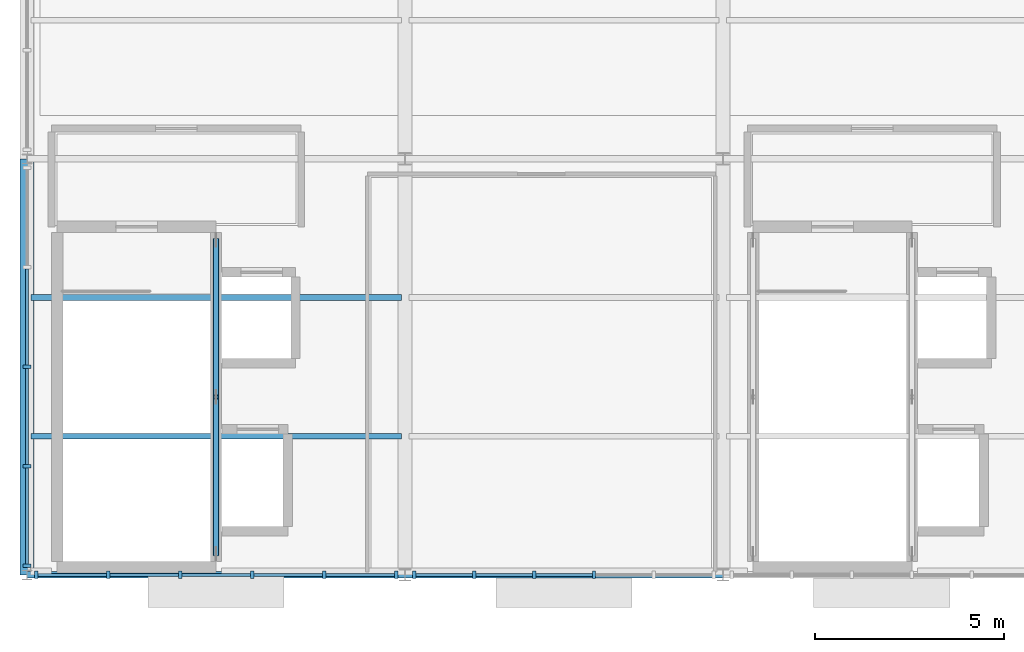
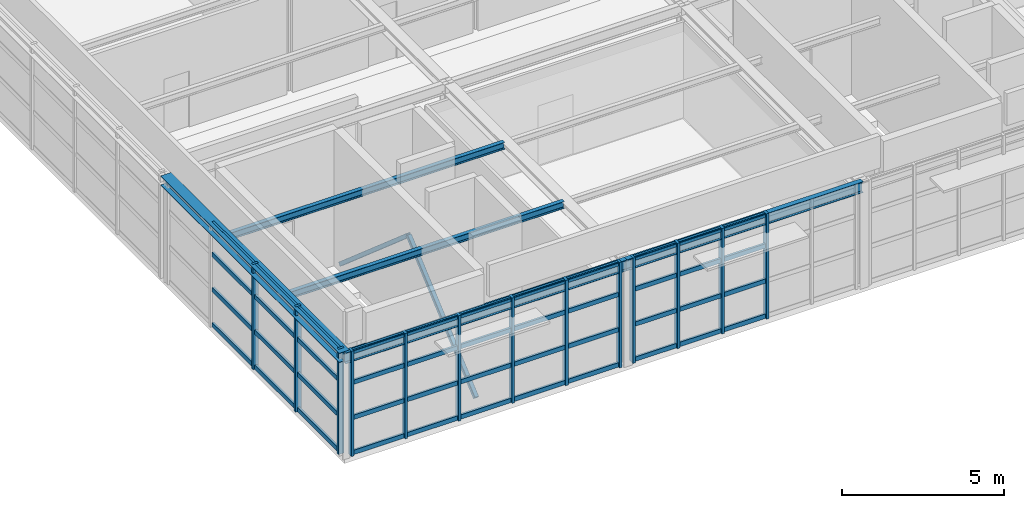
# One storey, part 4 of 18: 59 members, 5 beams, 3 elements without a shape of their own.
"""IFC4 building model written with IfcOpenShell, lengths in metres."""

from ifc_helpers import new_model, si_unit, direction, frame, origin, origin_2d, place, context, subcontext, project, spatial, rectangle, hollow_rectangle, i_section, extrude, material, layer, layer_set, material_profile, profile_set, type_object, element, aggregate, save


model = new_model("IFC4")

# Units and contexts
model_context = context("Model", 3, precision=1e-05, world=origin(), true_north=direction((0.0, 1.0)))
body_context = subcontext(model_context, "Body", "Model", "MODEL_VIEW")
ifc_project = project(units=[si_unit("LENGTHUNIT", "METRE"), si_unit("AREAUNIT", "SQUARE_METRE"), si_unit("VOLUMEUNIT", "CUBIC_METRE"), si_unit("PLANEANGLEUNIT", "RADIAN"), si_unit("MASSUNIT", "GRAM", prefix="KILO")], contexts=[model_context])

# Site, building, storey
site_placement = place(None, origin())
site = spatial("IfcSite", under=ifc_project, at=site_placement, CompositionType="ELEMENT")
building_placement = place(site_placement, origin())
building = spatial("IfcBuilding", under=site, at=building_placement, Name="Sitalva Quay Ferry Terminal", CompositionType="ELEMENT")
storey_placement = place(building_placement, frame((0.0, 0.0, 18.60009765625)))
storey = spatial("IfcBuildingStorey", under=building, at=storey_placement, Name="L05", CompositionType="ELEMENT", Elevation=18.60009765625)

# Beams
ifc_material_1 = material(Name="Structural Steel S355JR", Category="steel")
ifc_material_profile_1 = material_profile(ifc_material_1, i_section(OverallWidth=0.368896484375, OverallDepth=0.35595703125, WebThickness=0.01123046875, FlangeThickness=0.01806640625, FilletRadius=0.014892578125, at=origin_2d()), Name="W360x134")
ifc_profile_set_1 = profile_set([ifc_material_profile_1], Name="Structural Steel S355JR")
beam_type_1 = type_object("IfcBeamType", Name="Beam_W360x134", PredefinedType="BEAM", material=ifc_profile_set_1)
beam_1_placement = place(storey_placement, frame((74.0, 78.0, 3.781982421875), z_axis=(0.0, 1.0, 0.0), x_axis=(-1.0, 0.0, 0.0)))
element("IfcBeam", 1, at=beam_1_placement, inside=storey, type_object=beam_type_1, Name="L05 Primary Y girder 1420", PredefinedType="BEAM", context=body_context, shape_type="SweptSolid", body=[
    extrude(i_section(OverallWidth=0.368896484375, OverallDepth=0.35595703125, WebThickness=0.01123046875, FlangeThickness=0.01806640625, FilletRadius=0.014892578125, at=origin_2d()), origin(), (0.0, 0.0, 1.0), 11.0),
])
ifc_material_2 = material(Name="Structural Steel S355JR", Category="steel")
ifc_material_profile_2 = material_profile(ifc_material_2, i_section(OverallWidth=0.178955078125, OverallDepth=0.409912109375, WebThickness=0.0087890625, FlangeThickness=0.014404296875, FilletRadius=0.012939453125, at=origin_2d()), Name="W410x67")
ifc_profile_set_2 = profile_set([ifc_material_profile_2], Name="Structural Steel S355JR")
beam_type_2 = type_object("IfcBeamType", Name="Beam_W410x67", PredefinedType="BEAM", material=ifc_profile_set_2)
beam_2_placement = place(storey_placement, frame((74.0, 78.0, 3.7548828125), z_axis=(1.0, 0.0, 0.0), x_axis=(0.0, 1.0, 0.0)))
element("IfcBeam", 2, at=beam_2_placement, inside=storey, type_object=beam_type_2, Name="L05 Primary X girder 1400", PredefinedType="BEAM", context=body_context, shape_type="SweptSolid", body=[
    extrude(i_section(OverallWidth=0.178955078125, OverallDepth=0.409912109375, WebThickness=0.0087890625, FlangeThickness=0.014404296875, FilletRadius=0.012939453125, at=origin_2d()), origin(), (0.0, 0.0, 1.0), 10.0),
])
beam_3_placement = place(storey_placement, frame((84.0, 78.0, 3.7548828125), z_axis=(1.0, 0.0, 0.0), x_axis=(0.0, 1.0, 0.0)))
element("IfcBeam", 3, at=beam_3_placement, inside=storey, type_object=beam_type_2, Name="L05 Primary X girder 1401", PredefinedType="BEAM", context=body_context, shape_type="SweptSolid", body=[
    extrude(i_section(OverallWidth=0.178955078125, OverallDepth=0.409912109375, WebThickness=0.0087890625, FlangeThickness=0.014404296875, FilletRadius=0.012939453125, at=origin_2d()), origin(), (0.0, 0.0, 1.0), 8.39990234375),
])

# Members
ifc_material_3 = material(Name="Structural Steel S355JR", Category="steel")
ifc_material_profile_3 = material_profile(ifc_material_3, hollow_rectangle(XDim=0.14990234375, YDim=0.14990234375, WallThickness=0.008056640625, InnerFilletRadius=0.008056640625, OuterFilletRadius=0.01611328125, at=origin_2d()), Name="SHS150x150x8")
ifc_profile_set_3 = profile_set([ifc_material_profile_3], Name="Structural Steel S355JR")
member_type_1 = type_object("IfcMemberType", Name="Brace_SHS150x8", PredefinedType="BRACE", material=ifc_profile_set_3)
member_1_placement = place(storey_placement, frame((79.0, 78.550048828125, 0.14990234375), z_axis=(0.0, 0.756274516231, 0.654254427649), x_axis=(-1.0, 0.0, 0.0)))
element("IfcMember", 4, at=member_1_placement, inside=storey, type_object=member_type_1, Name="Braced frame BF2 L05 chevron A", PredefinedType="BRACE", context=body_context, shape_type="SweptSolid", body=[
    extrude(hollow_rectangle(XDim=0.14990234375, YDim=0.14990234375, WallThickness=0.008056640625, InnerFilletRadius=0.008056640625, OuterFilletRadius=0.01611328125, at=origin_2d()), origin(), (0.0, 0.0, 1.0), 5.4873046875),
])
member_2_placement = place(storey_placement, frame((79.0, 82.699951171875, 3.739990234375), z_axis=(0.0, 0.756293560007, -0.654232413666), x_axis=(-1.0, 0.0, 0.0)))
element("IfcMember", 5, at=member_2_placement, inside=storey, type_object=member_type_1, Name="Braced frame BF2 L05 chevron B", PredefinedType="BRACE", context=body_context, shape_type="SweptSolid", body=[
    extrude(hollow_rectangle(XDim=0.14990234375, YDim=0.14990234375, WallThickness=0.008056640625, InnerFilletRadius=0.008056640625, OuterFilletRadius=0.01611328125, at=origin_2d()), origin(), (0.0, 0.0, 1.0), 5.487548828125),
])

# Beams
ifc_material_4 = material(Name="Structural Steel S355JR", Category="steel")
ifc_material_profile_4 = material_profile(ifc_material_4, i_section(OverallWidth=0.14697265625, OverallDepth=0.261962890625, WebThickness=0.006591796875, FlangeThickness=0.01123046875, FilletRadius=0.010009765625, at=origin_2d()), Name="W250x39")
ifc_profile_set_4 = profile_set([ifc_material_profile_4], Name="Structural Steel S355JR")
beam_type_3 = type_object("IfcBeamType", Name="Joist_W250x39", PredefinedType="JOIST", material=ifc_profile_set_4)
for number, where, z_axis, x_axis, name in (
    (6, (74.10009765625, 81.666748046875, 3.828857421875), (1.0, 0.0, 0.0), (0.0, 1.0, 0.0), "L05 Secondary joist 1438"),
    (7, (74.10009765625, 85.333251953125, 3.828857421875), (1.0, 0.0, 0.0), (0.0, 1.0, 0.0), "L05 Secondary joist 1443"),
):
    element("IfcBeam", number, at=place(storey_placement, frame(where, z_axis=z_axis, x_axis=x_axis)), inside=storey, type_object=beam_type_3, Name=name, PredefinedType="JOIST", context=body_context, shape_type="SweptSolid", body=[
        extrude(i_section(OverallWidth=0.14697265625, OverallDepth=0.261962890625, WebThickness=0.006591796875, FlangeThickness=0.01123046875, FilletRadius=0.010009765625, at=origin_2d()), origin(), (0.0, 0.0, 1.0), 9.7998046875),
    ])

# Curtain wall, members
ifc_material_5 = material(Name="Anodised Aluminium & Low-E Glazing", Category="aluminium")
ifc_layer = layer(ifc_material_5, 0.159912109375)
ifc_layer_set = layer_set([ifc_layer], Name="Anodised Aluminium & Low-E Glazing")
curtain_wall_type = type_object("IfcCurtainWallType", Name="CW_VTS_Sloped", PredefinedType="USERDEFINED", material=ifc_layer_set)
curtain_wall_1_placement = place(storey_placement, origin())
curtain_wall_1 = element("IfcCurtainWall", 8, at=curtain_wall_1_placement, inside=storey, type_object=curtain_wall_type, Name="L05 VTS west panoramic glazing (CW-L05-149)", ObjectType="CURTAIN_WALL", PredefinedType="USERDEFINED")
ifc_material_6 = material(Name="Anodised Aluminium 6063-T6", Category="aluminium")
ifc_material_profile_5 = material_profile(ifc_material_6, rectangle(XDim=0.090087890625, YDim=0.199951171875, at=origin_2d()), Name="ALU90x200")
ifc_profile_set_5 = profile_set([ifc_material_profile_5], Name="Anodised Aluminium 6063-T6")
member_type_2 = type_object("IfcMemberType", Name="Mullion_Alu_90x200", PredefinedType="MULLION", material=ifc_profile_set_5)
member_3_placement = place(storey_placement, frame((74.0, 78.239990234375, 0.0), z_axis=(0.0, 0.0, 1.0), x_axis=(0.0, 1.0, 0.0)))
member_3 = element("IfcMember", 9, at=member_3_placement, type_object=member_type_2, Name="CW-L05-149-M0", PredefinedType="MULLION", context=body_context, shape_type="SweptSolid", body=[
    extrude(rectangle(XDim=0.090087890625, YDim=0.199951171875, at=origin_2d()), origin(), (0.0, 0.0, 1.0), 3.9599609375),
])
member_4_placement = place(storey_placement, frame((74.0, 80.8701171875, 0.0), z_axis=(0.0, 0.0, 1.0), x_axis=(0.0, 1.0, 0.0)))
member_4 = element("IfcMember", 10, at=member_4_placement, type_object=member_type_2, Name="CW-L05-149-M1", PredefinedType="MULLION", context=body_context, shape_type="SweptSolid", body=[
    extrude(rectangle(XDim=0.090087890625, YDim=0.199951171875, at=origin_2d()), origin(), (0.0, 0.0, 1.0), 3.9599609375),
])
member_5_placement = place(storey_placement, frame((74.0, 83.5, 0.0), z_axis=(0.0, 0.0, 1.0), x_axis=(0.0, 1.0, 0.0)))
member_5 = element("IfcMember", 11, at=member_5_placement, type_object=member_type_2, Name="CW-L05-149-M2", PredefinedType="MULLION", context=body_context, shape_type="SweptSolid", body=[
    extrude(rectangle(XDim=0.090087890625, YDim=0.199951171875, at=origin_2d()), origin(), (0.0, 0.0, 1.0), 3.9599609375),
])

curtain_wall_2_placement = place(storey_placement, origin())
curtain_wall_2 = element("IfcCurtainWall", 12, at=curtain_wall_2_placement, inside=storey, type_object=curtain_wall_type, Name="L05 VTS river-view panoramic south glazing (CW-L05-154)", ObjectType="CURTAIN_WALL", PredefinedType="USERDEFINED")
member_6_placement = place(storey_placement, frame((74.239990234375, 78.0, 0.0), z_axis=(0.0, 0.0, 1.0), x_axis=(1.0, 0.0, 0.0)))
member_6 = element("IfcMember", 13, at=member_6_placement, type_object=member_type_2, Name="CW-L05-154-M0", PredefinedType="MULLION", context=body_context, shape_type="SweptSolid", body=[
    extrude(rectangle(XDim=0.090087890625, YDim=0.199951171875, at=origin_2d()), origin(), (0.0, 0.0, 1.0), 3.9599609375),
])
member_7_placement = place(storey_placement, frame((76.14404296875, 78.0, 0.0), z_axis=(0.0, 0.0, 1.0), x_axis=(1.0, 0.0, 0.0)))
member_7 = element("IfcMember", 14, at=member_7_placement, type_object=member_type_2, Name="CW-L05-154-M1", PredefinedType="MULLION", context=body_context, shape_type="SweptSolid", body=[
    extrude(rectangle(XDim=0.090087890625, YDim=0.199951171875, at=origin_2d()), origin(), (0.0, 0.0, 1.0), 3.9599609375),
])
member_8_placement = place(storey_placement, frame((78.048095703125, 78.0, 0.0), z_axis=(0.0, 0.0, 1.0), x_axis=(1.0, 0.0, 0.0)))
member_8 = element("IfcMember", 15, at=member_8_placement, type_object=member_type_2, Name="CW-L05-154-M2", PredefinedType="MULLION", context=body_context, shape_type="SweptSolid", body=[
    extrude(rectangle(XDim=0.090087890625, YDim=0.199951171875, at=origin_2d()), origin(), (0.0, 0.0, 1.0), 3.9599609375),
])
member_9_placement = place(storey_placement, frame((79.951904296875, 78.0, 0.0), z_axis=(0.0, 0.0, 1.0), x_axis=(1.0, 0.0, 0.0)))
member_9 = element("IfcMember", 16, at=member_9_placement, type_object=member_type_2, Name="CW-L05-154-M3", PredefinedType="MULLION", context=body_context, shape_type="SweptSolid", body=[
    extrude(rectangle(XDim=0.090087890625, YDim=0.199951171875, at=origin_2d()), origin(), (0.0, 0.0, 1.0), 3.9599609375),
])
member_10_placement = place(storey_placement, frame((81.85595703125, 78.0, 0.0), z_axis=(0.0, 0.0, 1.0), x_axis=(1.0, 0.0, 0.0)))
member_10 = element("IfcMember", 17, at=member_10_placement, type_object=member_type_2, Name="CW-L05-154-M4", PredefinedType="MULLION", context=body_context, shape_type="SweptSolid", body=[
    extrude(rectangle(XDim=0.090087890625, YDim=0.199951171875, at=origin_2d()), origin(), (0.0, 0.0, 1.0), 3.9599609375),
])
member_11_placement = place(storey_placement, frame((83.760009765625, 78.0, 0.0), z_axis=(0.0, 0.0, 1.0), x_axis=(1.0, 0.0, 0.0)))
member_11 = element("IfcMember", 18, at=member_11_placement, type_object=member_type_2, Name="CW-L05-154-M5", PredefinedType="MULLION", context=body_context, shape_type="SweptSolid", body=[
    extrude(rectangle(XDim=0.090087890625, YDim=0.199951171875, at=origin_2d()), origin(), (0.0, 0.0, 1.0), 3.9599609375),
])

curtain_wall_3_placement = place(storey_placement, origin())
curtain_wall_3 = element("IfcCurtainWall", 19, at=curtain_wall_3_placement, inside=storey, type_object=curtain_wall_type, Name="L05 VTS river-view panoramic south glazing (CW-L05-156)", ObjectType="CURTAIN_WALL", PredefinedType="USERDEFINED")
member_12_placement = place(storey_placement, frame((84.239990234375, 78.0, 0.0), z_axis=(0.0, 0.0, 1.0), x_axis=(1.0, 0.0, 0.0)))
member_12 = element("IfcMember", 20, at=member_12_placement, type_object=member_type_2, Name="CW-L05-156-M0", PredefinedType="MULLION", context=body_context, shape_type="SweptSolid", body=[
    extrude(rectangle(XDim=0.090087890625, YDim=0.199951171875, at=origin_2d()), origin(), (0.0, 0.0, 1.0), 3.9599609375),
])
member_13_placement = place(storey_placement, frame((85.823974609375, 78.0, 0.0), z_axis=(0.0, 0.0, 1.0), x_axis=(1.0, 0.0, 0.0)))
member_13 = element("IfcMember", 21, at=member_13_placement, type_object=member_type_2, Name="CW-L05-156-M1", PredefinedType="MULLION", context=body_context, shape_type="SweptSolid", body=[
    extrude(rectangle(XDim=0.090087890625, YDim=0.199951171875, at=origin_2d()), origin(), (0.0, 0.0, 1.0), 3.9599609375),
])
member_14_placement = place(storey_placement, frame((87.407958984375, 78.0, 0.0), z_axis=(0.0, 0.0, 1.0), x_axis=(1.0, 0.0, 0.0)))
member_14 = element("IfcMember", 22, at=member_14_placement, type_object=member_type_2, Name="CW-L05-156-M2", PredefinedType="MULLION", context=body_context, shape_type="SweptSolid", body=[
    extrude(rectangle(XDim=0.090087890625, YDim=0.199951171875, at=origin_2d()), origin(), (0.0, 0.0, 1.0), 3.9599609375),
])
member_15_placement = place(storey_placement, frame((88.991943359375, 78.0, 0.0), z_axis=(0.0, 0.0, 1.0), x_axis=(1.0, 0.0, 0.0)))
member_15 = element("IfcMember", 23, at=member_15_placement, type_object=member_type_2, Name="CW-L05-156-M3", PredefinedType="MULLION", context=body_context, shape_type="SweptSolid", body=[
    extrude(rectangle(XDim=0.090087890625, YDim=0.199951171875, at=origin_2d()), origin(), (0.0, 0.0, 1.0), 3.9599609375),
])

# Member
ifc_material_7 = material(Name="Anodised Aluminium 6063-T6", Category="aluminium")
ifc_material_profile_6 = material_profile(ifc_material_7, rectangle(XDim=0.080078125, YDim=0.1650390625, at=origin_2d()), Name="ALU80x165")
ifc_profile_set_6 = profile_set([ifc_material_profile_6], Name="Anodised Aluminium 6063-T6")
member_type_3 = type_object("IfcMemberType", Name="Transom_Alu_80x165", PredefinedType="MULLION", material=ifc_profile_set_6)
member_16_placement = place(storey_placement, frame((74.0, 78.284912109375, 0.08251953125), z_axis=(0.0, 1.0, 0.0), x_axis=(-1.0, 0.0, 0.0)))
member_16 = element("IfcMember", 24, at=member_16_placement, type_object=member_type_3, Name="CW-L05-149-T0-0", ObjectType="TRANSOM", PredefinedType="USERDEFINED", context=body_context, shape_type="SweptSolid", body=[
    extrude(rectangle(XDim=0.080078125, YDim=0.1650390625, at=origin_2d()), origin(), (0.0, 0.0, 1.0), 2.5400390625),
])

member_17_placement = place(storey_placement, frame((74.0, 78.284912109375, 1.40234375), z_axis=(0.0, 1.0, 0.0), x_axis=(-1.0, 0.0, 0.0)))
member_17 = element("IfcMember", 25, at=member_17_placement, type_object=member_type_3, Name="CW-L05-149-T0-1", ObjectType="TRANSOM", PredefinedType="USERDEFINED", context=body_context, shape_type="SweptSolid", body=[
    extrude(rectangle(XDim=0.080078125, YDim=0.1650390625, at=origin_2d()), origin(), (0.0, 0.0, 1.0), 2.5400390625),
])

member_18_placement = place(storey_placement, frame((74.0, 78.284912109375, 2.722412109375), z_axis=(0.0, 1.0, 0.0), x_axis=(-1.0, 0.0, 0.0)))
member_18 = element("IfcMember", 26, at=member_18_placement, type_object=member_type_3, Name="CW-L05-149-T0-2", ObjectType="TRANSOM", PredefinedType="USERDEFINED", context=body_context, shape_type="SweptSolid", body=[
    extrude(rectangle(XDim=0.080078125, YDim=0.1650390625, at=origin_2d()), origin(), (0.0, 0.0, 1.0), 2.5400390625),
])

member_19_placement = place(storey_placement, frame((74.0, 78.284912109375, 3.87744140625), z_axis=(0.0, 1.0, 0.0), x_axis=(-1.0, 0.0, 0.0)))
member_19 = element("IfcMember", 27, at=member_19_placement, type_object=member_type_3, Name="CW-L05-149-T0-3", ObjectType="TRANSOM", PredefinedType="USERDEFINED", context=body_context, shape_type="SweptSolid", body=[
    extrude(rectangle(XDim=0.080078125, YDim=0.1650390625, at=origin_2d()), origin(), (0.0, 0.0, 1.0), 2.5400390625),
])

member_20_placement = place(storey_placement, frame((74.0, 80.9150390625, 0.08251953125), z_axis=(0.0, 1.0, 0.0), x_axis=(-1.0, 0.0, 0.0)))
member_20 = element("IfcMember", 28, at=member_20_placement, type_object=member_type_3, Name="CW-L05-149-T1-0", ObjectType="TRANSOM", PredefinedType="USERDEFINED", context=body_context, shape_type="SweptSolid", body=[
    extrude(rectangle(XDim=0.080078125, YDim=0.1650390625, at=origin_2d()), origin(), (0.0, 0.0, 1.0), 2.5400390625),
])

member_21_placement = place(storey_placement, frame((74.0, 80.9150390625, 1.40234375), z_axis=(0.0, 1.0, 0.0), x_axis=(-1.0, 0.0, 0.0)))
member_21 = element("IfcMember", 29, at=member_21_placement, type_object=member_type_3, Name="CW-L05-149-T1-1", ObjectType="TRANSOM", PredefinedType="USERDEFINED", context=body_context, shape_type="SweptSolid", body=[
    extrude(rectangle(XDim=0.080078125, YDim=0.1650390625, at=origin_2d()), origin(), (0.0, 0.0, 1.0), 2.5400390625),
])

member_22_placement = place(storey_placement, frame((74.0, 80.9150390625, 2.722412109375), z_axis=(0.0, 1.0, 0.0), x_axis=(-1.0, 0.0, 0.0)))
member_22 = element("IfcMember", 30, at=member_22_placement, type_object=member_type_3, Name="CW-L05-149-T1-2", ObjectType="TRANSOM", PredefinedType="USERDEFINED", context=body_context, shape_type="SweptSolid", body=[
    extrude(rectangle(XDim=0.080078125, YDim=0.1650390625, at=origin_2d()), origin(), (0.0, 0.0, 1.0), 2.5400390625),
])

member_23_placement = place(storey_placement, frame((74.0, 80.9150390625, 3.87744140625), z_axis=(0.0, 1.0, 0.0), x_axis=(-1.0, 0.0, 0.0)))
member_23 = element("IfcMember", 31, at=member_23_placement, type_object=member_type_3, Name="CW-L05-149-T1-3", ObjectType="TRANSOM", PredefinedType="USERDEFINED", context=body_context, shape_type="SweptSolid", body=[
    extrude(rectangle(XDim=0.080078125, YDim=0.1650390625, at=origin_2d()), origin(), (0.0, 0.0, 1.0), 2.5400390625),
])

member_24_placement = place(storey_placement, frame((74.0, 83.544921875, 0.08251953125), z_axis=(0.0, 1.0, 0.0), x_axis=(-1.0, 0.0, 0.0)))
member_24 = element("IfcMember", 32, at=member_24_placement, type_object=member_type_3, Name="CW-L05-149-T2-0", ObjectType="TRANSOM", PredefinedType="USERDEFINED", context=body_context, shape_type="SweptSolid", body=[
    extrude(rectangle(XDim=0.080078125, YDim=0.1650390625, at=origin_2d()), origin(), (0.0, 0.0, 1.0), 2.5400390625),
])

member_25_placement = place(storey_placement, frame((74.0, 83.544921875, 1.40234375), z_axis=(0.0, 1.0, 0.0), x_axis=(-1.0, 0.0, 0.0)))
member_25 = element("IfcMember", 33, at=member_25_placement, type_object=member_type_3, Name="CW-L05-149-T2-1", ObjectType="TRANSOM", PredefinedType="USERDEFINED", context=body_context, shape_type="SweptSolid", body=[
    extrude(rectangle(XDim=0.080078125, YDim=0.1650390625, at=origin_2d()), origin(), (0.0, 0.0, 1.0), 2.5400390625),
])

member_26_placement = place(storey_placement, frame((74.0, 83.544921875, 2.722412109375), z_axis=(0.0, 1.0, 0.0), x_axis=(-1.0, 0.0, 0.0)))
member_26 = element("IfcMember", 34, at=member_26_placement, type_object=member_type_3, Name="CW-L05-149-T2-2", ObjectType="TRANSOM", PredefinedType="USERDEFINED", context=body_context, shape_type="SweptSolid", body=[
    extrude(rectangle(XDim=0.080078125, YDim=0.1650390625, at=origin_2d()), origin(), (0.0, 0.0, 1.0), 2.5400390625),
])

member_27_placement = place(storey_placement, frame((74.0, 83.544921875, 3.87744140625), z_axis=(0.0, 1.0, 0.0), x_axis=(-1.0, 0.0, 0.0)))
member_27 = element("IfcMember", 35, at=member_27_placement, type_object=member_type_3, Name="CW-L05-149-T2-3", ObjectType="TRANSOM", PredefinedType="USERDEFINED", context=body_context, shape_type="SweptSolid", body=[
    extrude(rectangle(XDim=0.080078125, YDim=0.1650390625, at=origin_2d()), origin(), (0.0, 0.0, 1.0), 2.5400390625),
])

aggregate(curtain_wall_1, [member_3, member_4, member_5, member_16, member_17, member_18, member_19, member_20, member_21, member_22, member_23, member_24, member_25, member_26, member_27])

member_28_placement = place(storey_placement, frame((74.284912109375, 78.0, 0.08251953125), z_axis=(1.0, 0.0, 0.0), x_axis=(0.0, 1.0, 0.0)))
member_28 = element("IfcMember", 36, at=member_28_placement, type_object=member_type_3, Name="CW-L05-154-T0-0", ObjectType="TRANSOM", PredefinedType="USERDEFINED", context=body_context, shape_type="SweptSolid", body=[
    extrude(rectangle(XDim=0.080078125, YDim=0.1650390625, at=origin_2d()), origin(), (0.0, 0.0, 1.0), 1.814208984375),
])

member_29_placement = place(storey_placement, frame((74.284912109375, 78.0, 1.40234375), z_axis=(1.0, 0.0, 0.0), x_axis=(0.0, 1.0, 0.0)))
member_29 = element("IfcMember", 37, at=member_29_placement, type_object=member_type_3, Name="CW-L05-154-T0-1", ObjectType="TRANSOM", PredefinedType="USERDEFINED", context=body_context, shape_type="SweptSolid", body=[
    extrude(rectangle(XDim=0.080078125, YDim=0.1650390625, at=origin_2d()), origin(), (0.0, 0.0, 1.0), 1.814208984375),
])

member_30_placement = place(storey_placement, frame((74.284912109375, 78.0, 2.722412109375), z_axis=(1.0, 0.0, 0.0), x_axis=(0.0, 1.0, 0.0)))
member_30 = element("IfcMember", 38, at=member_30_placement, type_object=member_type_3, Name="CW-L05-154-T0-2", ObjectType="TRANSOM", PredefinedType="USERDEFINED", context=body_context, shape_type="SweptSolid", body=[
    extrude(rectangle(XDim=0.080078125, YDim=0.1650390625, at=origin_2d()), origin(), (0.0, 0.0, 1.0), 1.814208984375),
])

member_31_placement = place(storey_placement, frame((74.284912109375, 78.0, 3.87744140625), z_axis=(1.0, 0.0, 0.0), x_axis=(0.0, 1.0, 0.0)))
member_31 = element("IfcMember", 39, at=member_31_placement, type_object=member_type_3, Name="CW-L05-154-T0-3", ObjectType="TRANSOM", PredefinedType="USERDEFINED", context=body_context, shape_type="SweptSolid", body=[
    extrude(rectangle(XDim=0.080078125, YDim=0.1650390625, at=origin_2d()), origin(), (0.0, 0.0, 1.0), 1.814208984375),
])

member_32_placement = place(storey_placement, frame((76.18896484375, 78.0, 0.08251953125), z_axis=(1.0, 0.0, 0.0), x_axis=(0.0, 1.0, 0.0)))
member_32 = element("IfcMember", 40, at=member_32_placement, type_object=member_type_3, Name="CW-L05-154-T1-0", ObjectType="TRANSOM", PredefinedType="USERDEFINED", context=body_context, shape_type="SweptSolid", body=[
    extrude(rectangle(XDim=0.080078125, YDim=0.1650390625, at=origin_2d()), origin(), (0.0, 0.0, 1.0), 1.81396484375),
])

member_33_placement = place(storey_placement, frame((76.18896484375, 78.0, 1.40234375), z_axis=(1.0, 0.0, 0.0), x_axis=(0.0, 1.0, 0.0)))
member_33 = element("IfcMember", 41, at=member_33_placement, type_object=member_type_3, Name="CW-L05-154-T1-1", ObjectType="TRANSOM", PredefinedType="USERDEFINED", context=body_context, shape_type="SweptSolid", body=[
    extrude(rectangle(XDim=0.080078125, YDim=0.1650390625, at=origin_2d()), origin(), (0.0, 0.0, 1.0), 1.81396484375),
])

member_34_placement = place(storey_placement, frame((76.18896484375, 78.0, 2.722412109375), z_axis=(1.0, 0.0, 0.0), x_axis=(0.0, 1.0, 0.0)))
member_34 = element("IfcMember", 42, at=member_34_placement, type_object=member_type_3, Name="CW-L05-154-T1-2", ObjectType="TRANSOM", PredefinedType="USERDEFINED", context=body_context, shape_type="SweptSolid", body=[
    extrude(rectangle(XDim=0.080078125, YDim=0.1650390625, at=origin_2d()), origin(), (0.0, 0.0, 1.0), 1.81396484375),
])

member_35_placement = place(storey_placement, frame((76.18896484375, 78.0, 3.87744140625), z_axis=(1.0, 0.0, 0.0), x_axis=(0.0, 1.0, 0.0)))
member_35 = element("IfcMember", 43, at=member_35_placement, type_object=member_type_3, Name="CW-L05-154-T1-3", ObjectType="TRANSOM", PredefinedType="USERDEFINED", context=body_context, shape_type="SweptSolid", body=[
    extrude(rectangle(XDim=0.080078125, YDim=0.1650390625, at=origin_2d()), origin(), (0.0, 0.0, 1.0), 1.81396484375),
])

member_36_placement = place(storey_placement, frame((78.093017578125, 78.0, 0.08251953125), z_axis=(1.0, 0.0, 0.0), x_axis=(0.0, 1.0, 0.0)))
member_36 = element("IfcMember", 44, at=member_36_placement, type_object=member_type_3, Name="CW-L05-154-T2-0", ObjectType="TRANSOM", PredefinedType="USERDEFINED", context=body_context, shape_type="SweptSolid", body=[
    extrude(rectangle(XDim=0.080078125, YDim=0.1650390625, at=origin_2d()), origin(), (0.0, 0.0, 1.0), 1.81396484375),
])

member_37_placement = place(storey_placement, frame((78.093017578125, 78.0, 1.40234375), z_axis=(1.0, 0.0, 0.0), x_axis=(0.0, 1.0, 0.0)))
member_37 = element("IfcMember", 45, at=member_37_placement, type_object=member_type_3, Name="CW-L05-154-T2-1", ObjectType="TRANSOM", PredefinedType="USERDEFINED", context=body_context, shape_type="SweptSolid", body=[
    extrude(rectangle(XDim=0.080078125, YDim=0.1650390625, at=origin_2d()), origin(), (0.0, 0.0, 1.0), 1.81396484375),
])

member_38_placement = place(storey_placement, frame((78.093017578125, 78.0, 2.722412109375), z_axis=(1.0, 0.0, 0.0), x_axis=(0.0, 1.0, 0.0)))
member_38 = element("IfcMember", 46, at=member_38_placement, type_object=member_type_3, Name="CW-L05-154-T2-2", ObjectType="TRANSOM", PredefinedType="USERDEFINED", context=body_context, shape_type="SweptSolid", body=[
    extrude(rectangle(XDim=0.080078125, YDim=0.1650390625, at=origin_2d()), origin(), (0.0, 0.0, 1.0), 1.81396484375),
])

member_39_placement = place(storey_placement, frame((78.093017578125, 78.0, 3.87744140625), z_axis=(1.0, 0.0, 0.0), x_axis=(0.0, 1.0, 0.0)))
member_39 = element("IfcMember", 47, at=member_39_placement, type_object=member_type_3, Name="CW-L05-154-T2-3", ObjectType="TRANSOM", PredefinedType="USERDEFINED", context=body_context, shape_type="SweptSolid", body=[
    extrude(rectangle(XDim=0.080078125, YDim=0.1650390625, at=origin_2d()), origin(), (0.0, 0.0, 1.0), 1.81396484375),
])

member_40_placement = place(storey_placement, frame((79.9970703125, 78.0, 0.08251953125), z_axis=(1.0, 0.0, 0.0), x_axis=(0.0, 1.0, 0.0)))
member_40 = element("IfcMember", 48, at=member_40_placement, type_object=member_type_3, Name="CW-L05-154-T3-0", ObjectType="TRANSOM", PredefinedType="USERDEFINED", context=body_context, shape_type="SweptSolid", body=[
    extrude(rectangle(XDim=0.080078125, YDim=0.1650390625, at=origin_2d()), origin(), (0.0, 0.0, 1.0), 1.81396484375),
])

member_41_placement = place(storey_placement, frame((79.9970703125, 78.0, 1.40234375), z_axis=(1.0, 0.0, 0.0), x_axis=(0.0, 1.0, 0.0)))
member_41 = element("IfcMember", 49, at=member_41_placement, type_object=member_type_3, Name="CW-L05-154-T3-1", ObjectType="TRANSOM", PredefinedType="USERDEFINED", context=body_context, shape_type="SweptSolid", body=[
    extrude(rectangle(XDim=0.080078125, YDim=0.1650390625, at=origin_2d()), origin(), (0.0, 0.0, 1.0), 1.81396484375),
])

member_42_placement = place(storey_placement, frame((79.9970703125, 78.0, 2.722412109375), z_axis=(1.0, 0.0, 0.0), x_axis=(0.0, 1.0, 0.0)))
member_42 = element("IfcMember", 50, at=member_42_placement, type_object=member_type_3, Name="CW-L05-154-T3-2", ObjectType="TRANSOM", PredefinedType="USERDEFINED", context=body_context, shape_type="SweptSolid", body=[
    extrude(rectangle(XDim=0.080078125, YDim=0.1650390625, at=origin_2d()), origin(), (0.0, 0.0, 1.0), 1.81396484375),
])

member_43_placement = place(storey_placement, frame((79.9970703125, 78.0, 3.87744140625), z_axis=(1.0, 0.0, 0.0), x_axis=(0.0, 1.0, 0.0)))
member_43 = element("IfcMember", 51, at=member_43_placement, type_object=member_type_3, Name="CW-L05-154-T3-3", ObjectType="TRANSOM", PredefinedType="USERDEFINED", context=body_context, shape_type="SweptSolid", body=[
    extrude(rectangle(XDim=0.080078125, YDim=0.1650390625, at=origin_2d()), origin(), (0.0, 0.0, 1.0), 1.81396484375),
])

member_44_placement = place(storey_placement, frame((81.90087890625, 78.0, 0.08251953125), z_axis=(1.0, 0.0, 0.0), x_axis=(0.0, 1.0, 0.0)))
member_44 = element("IfcMember", 52, at=member_44_placement, type_object=member_type_3, Name="CW-L05-154-T4-0", ObjectType="TRANSOM", PredefinedType="USERDEFINED", context=body_context, shape_type="SweptSolid", body=[
    extrude(rectangle(XDim=0.080078125, YDim=0.1650390625, at=origin_2d()), origin(), (0.0, 0.0, 1.0), 1.814208984375),
])

member_45_placement = place(storey_placement, frame((81.90087890625, 78.0, 1.40234375), z_axis=(1.0, 0.0, 0.0), x_axis=(0.0, 1.0, 0.0)))
member_45 = element("IfcMember", 53, at=member_45_placement, type_object=member_type_3, Name="CW-L05-154-T4-1", ObjectType="TRANSOM", PredefinedType="USERDEFINED", context=body_context, shape_type="SweptSolid", body=[
    extrude(rectangle(XDim=0.080078125, YDim=0.1650390625, at=origin_2d()), origin(), (0.0, 0.0, 1.0), 1.814208984375),
])

member_46_placement = place(storey_placement, frame((81.90087890625, 78.0, 2.722412109375), z_axis=(1.0, 0.0, 0.0), x_axis=(0.0, 1.0, 0.0)))
member_46 = element("IfcMember", 54, at=member_46_placement, type_object=member_type_3, Name="CW-L05-154-T4-2", ObjectType="TRANSOM", PredefinedType="USERDEFINED", context=body_context, shape_type="SweptSolid", body=[
    extrude(rectangle(XDim=0.080078125, YDim=0.1650390625, at=origin_2d()), origin(), (0.0, 0.0, 1.0), 1.814208984375),
])

member_47_placement = place(storey_placement, frame((81.90087890625, 78.0, 3.87744140625), z_axis=(1.0, 0.0, 0.0), x_axis=(0.0, 1.0, 0.0)))
member_47 = element("IfcMember", 55, at=member_47_placement, type_object=member_type_3, Name="CW-L05-154-T4-3", ObjectType="TRANSOM", PredefinedType="USERDEFINED", context=body_context, shape_type="SweptSolid", body=[
    extrude(rectangle(XDim=0.080078125, YDim=0.1650390625, at=origin_2d()), origin(), (0.0, 0.0, 1.0), 1.814208984375),
])

aggregate(curtain_wall_2, [member_6, member_7, member_8, member_9, member_10, member_11, member_28, member_29, member_30, member_31, member_32, member_33, member_34, member_35, member_36, member_37, member_38, member_39, member_40, member_41, member_42, member_43, member_44, member_45, member_46, member_47])

member_48_placement = place(storey_placement, frame((84.284912109375, 78.0, 0.08251953125), z_axis=(1.0, 0.0, 0.0), x_axis=(0.0, 1.0, 0.0)))
member_48 = element("IfcMember", 56, at=member_48_placement, type_object=member_type_3, Name="CW-L05-156-T0-0", ObjectType="TRANSOM", PredefinedType="USERDEFINED", context=body_context, shape_type="SweptSolid", body=[
    extrude(rectangle(XDim=0.080078125, YDim=0.1650390625, at=origin_2d()), origin(), (0.0, 0.0, 1.0), 1.494140625),
])

member_49_placement = place(storey_placement, frame((84.284912109375, 78.0, 1.40234375), z_axis=(1.0, 0.0, 0.0), x_axis=(0.0, 1.0, 0.0)))
member_49 = element("IfcMember", 57, at=member_49_placement, type_object=member_type_3, Name="CW-L05-156-T0-1", ObjectType="TRANSOM", PredefinedType="USERDEFINED", context=body_context, shape_type="SweptSolid", body=[
    extrude(rectangle(XDim=0.080078125, YDim=0.1650390625, at=origin_2d()), origin(), (0.0, 0.0, 1.0), 1.494140625),
])

member_50_placement = place(storey_placement, frame((84.284912109375, 78.0, 2.722412109375), z_axis=(1.0, 0.0, 0.0), x_axis=(0.0, 1.0, 0.0)))
member_50 = element("IfcMember", 58, at=member_50_placement, type_object=member_type_3, Name="CW-L05-156-T0-2", ObjectType="TRANSOM", PredefinedType="USERDEFINED", context=body_context, shape_type="SweptSolid", body=[
    extrude(rectangle(XDim=0.080078125, YDim=0.1650390625, at=origin_2d()), origin(), (0.0, 0.0, 1.0), 1.494140625),
])

member_51_placement = place(storey_placement, frame((84.284912109375, 78.0, 3.87744140625), z_axis=(1.0, 0.0, 0.0), x_axis=(0.0, 1.0, 0.0)))
member_51 = element("IfcMember", 59, at=member_51_placement, type_object=member_type_3, Name="CW-L05-156-T0-3", ObjectType="TRANSOM", PredefinedType="USERDEFINED", context=body_context, shape_type="SweptSolid", body=[
    extrude(rectangle(XDim=0.080078125, YDim=0.1650390625, at=origin_2d()), origin(), (0.0, 0.0, 1.0), 1.494140625),
])

member_52_placement = place(storey_placement, frame((85.868896484375, 78.0, 0.08251953125), z_axis=(1.0, 0.0, 0.0), x_axis=(0.0, 1.0, 0.0)))
member_52 = element("IfcMember", 60, at=member_52_placement, type_object=member_type_3, Name="CW-L05-156-T1-0", ObjectType="TRANSOM", PredefinedType="USERDEFINED", context=body_context, shape_type="SweptSolid", body=[
    extrude(rectangle(XDim=0.080078125, YDim=0.1650390625, at=origin_2d()), origin(), (0.0, 0.0, 1.0), 1.494140625),
])

member_53_placement = place(storey_placement, frame((85.868896484375, 78.0, 1.40234375), z_axis=(1.0, 0.0, 0.0), x_axis=(0.0, 1.0, 0.0)))
member_53 = element("IfcMember", 61, at=member_53_placement, type_object=member_type_3, Name="CW-L05-156-T1-1", ObjectType="TRANSOM", PredefinedType="USERDEFINED", context=body_context, shape_type="SweptSolid", body=[
    extrude(rectangle(XDim=0.080078125, YDim=0.1650390625, at=origin_2d()), origin(), (0.0, 0.0, 1.0), 1.494140625),
])

member_54_placement = place(storey_placement, frame((85.868896484375, 78.0, 2.722412109375), z_axis=(1.0, 0.0, 0.0), x_axis=(0.0, 1.0, 0.0)))
member_54 = element("IfcMember", 62, at=member_54_placement, type_object=member_type_3, Name="CW-L05-156-T1-2", ObjectType="TRANSOM", PredefinedType="USERDEFINED", context=body_context, shape_type="SweptSolid", body=[
    extrude(rectangle(XDim=0.080078125, YDim=0.1650390625, at=origin_2d()), origin(), (0.0, 0.0, 1.0), 1.494140625),
])

member_55_placement = place(storey_placement, frame((85.868896484375, 78.0, 3.87744140625), z_axis=(1.0, 0.0, 0.0), x_axis=(0.0, 1.0, 0.0)))
member_55 = element("IfcMember", 63, at=member_55_placement, type_object=member_type_3, Name="CW-L05-156-T1-3", ObjectType="TRANSOM", PredefinedType="USERDEFINED", context=body_context, shape_type="SweptSolid", body=[
    extrude(rectangle(XDim=0.080078125, YDim=0.1650390625, at=origin_2d()), origin(), (0.0, 0.0, 1.0), 1.494140625),
])

member_56_placement = place(storey_placement, frame((87.452880859375, 78.0, 0.08251953125), z_axis=(1.0, 0.0, 0.0), x_axis=(0.0, 1.0, 0.0)))
member_56 = element("IfcMember", 64, at=member_56_placement, type_object=member_type_3, Name="CW-L05-156-T2-0", ObjectType="TRANSOM", PredefinedType="USERDEFINED", context=body_context, shape_type="SweptSolid", body=[
    extrude(rectangle(XDim=0.080078125, YDim=0.1650390625, at=origin_2d()), origin(), (0.0, 0.0, 1.0), 1.494140625),
])

member_57_placement = place(storey_placement, frame((87.452880859375, 78.0, 1.40234375), z_axis=(1.0, 0.0, 0.0), x_axis=(0.0, 1.0, 0.0)))
member_57 = element("IfcMember", 65, at=member_57_placement, type_object=member_type_3, Name="CW-L05-156-T2-1", ObjectType="TRANSOM", PredefinedType="USERDEFINED", context=body_context, shape_type="SweptSolid", body=[
    extrude(rectangle(XDim=0.080078125, YDim=0.1650390625, at=origin_2d()), origin(), (0.0, 0.0, 1.0), 1.494140625),
])

member_58_placement = place(storey_placement, frame((87.452880859375, 78.0, 2.722412109375), z_axis=(1.0, 0.0, 0.0), x_axis=(0.0, 1.0, 0.0)))
member_58 = element("IfcMember", 66, at=member_58_placement, type_object=member_type_3, Name="CW-L05-156-T2-2", ObjectType="TRANSOM", PredefinedType="USERDEFINED", context=body_context, shape_type="SweptSolid", body=[
    extrude(rectangle(XDim=0.080078125, YDim=0.1650390625, at=origin_2d()), origin(), (0.0, 0.0, 1.0), 1.494140625),
])

member_59_placement = place(storey_placement, frame((87.452880859375, 78.0, 3.87744140625), z_axis=(1.0, 0.0, 0.0), x_axis=(0.0, 1.0, 0.0)))
member_59 = element("IfcMember", 67, at=member_59_placement, type_object=member_type_3, Name="CW-L05-156-T2-3", ObjectType="TRANSOM", PredefinedType="USERDEFINED", context=body_context, shape_type="SweptSolid", body=[
    extrude(rectangle(XDim=0.080078125, YDim=0.1650390625, at=origin_2d()), origin(), (0.0, 0.0, 1.0), 1.494140625),
])

aggregate(curtain_wall_3, [member_12, member_13, member_14, member_15, member_48, member_49, member_50, member_51, member_52, member_53, member_54, member_55, member_56, member_57, member_58, member_59])

save(model, "model.ifc")
